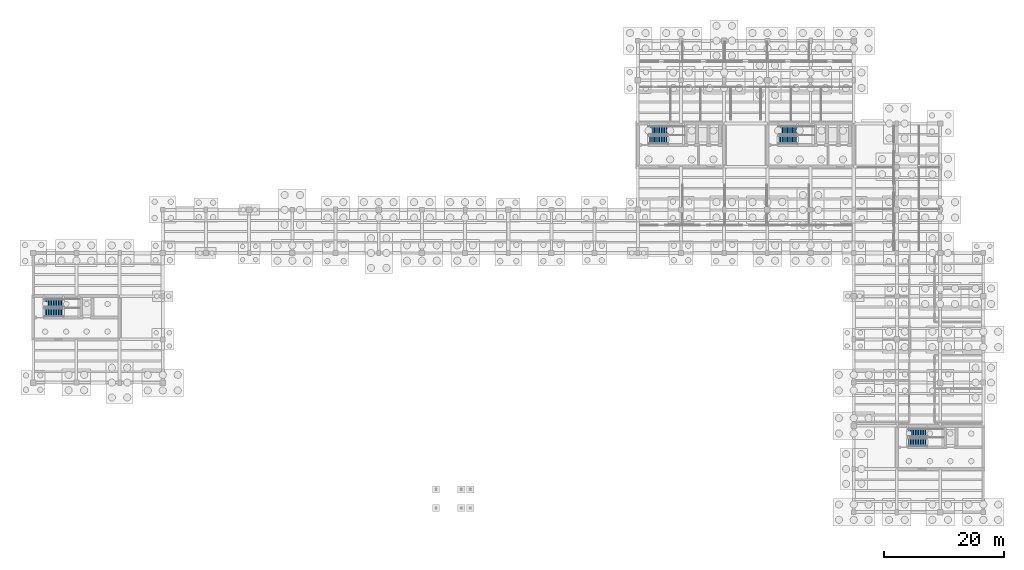
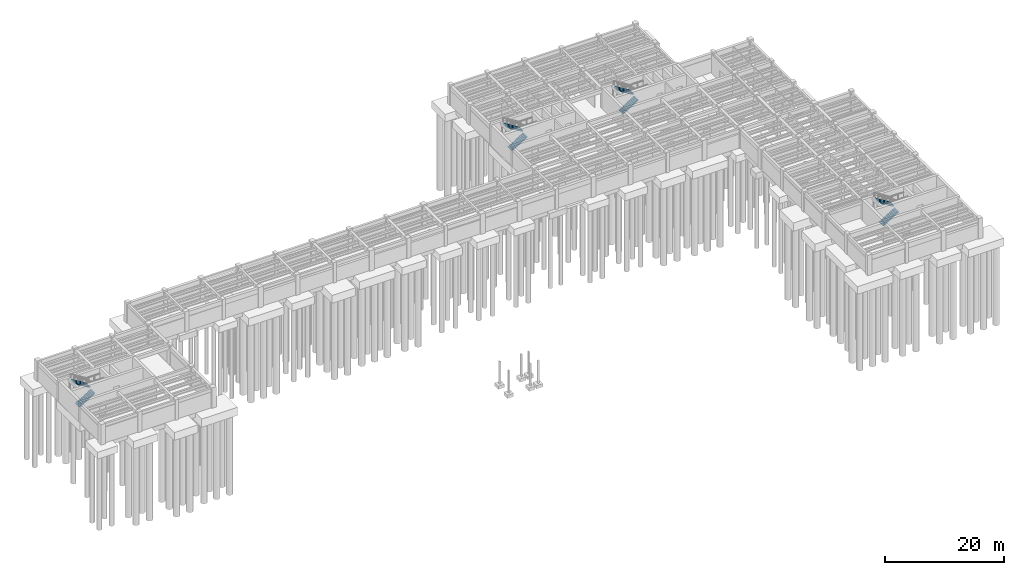
# One storey, part 17 of 22: 8 stair flights, 4 elements without a shape of their own.
"""IFC4 building model written with IfcOpenShell, lengths in metres."""

from ifc_helpers import new_model, si_unit, direction, frame, origin, place, context, subcontext, project, spatial, polyline, outline, extrude, material, type_object, element, aggregate, save


model = new_model("IFC4")

# Units and contexts
model_context = context("Model", 3, precision=1e-05, world=origin(), true_north=direction((0.0, 1.0)))
body_context = subcontext(model_context, "Body", "Model", "MODEL_VIEW")
ifc_project = project(units=[si_unit("LENGTHUNIT", "METRE"), si_unit("AREAUNIT", "SQUARE_METRE"), si_unit("VOLUMEUNIT", "CUBIC_METRE"), si_unit("PLANEANGLEUNIT", "RADIAN"), si_unit("MASSUNIT", "GRAM", prefix="KILO")], contexts=[model_context])

# Site, building, storey
site_placement = place(None, origin())
site = spatial("IfcSite", under=ifc_project, at=site_placement, CompositionType="ELEMENT")
building_placement = place(site_placement, origin())
building = spatial("IfcBuilding", under=site, at=building_placement, Name="Mithqara Police Headquarters", CompositionType="ELEMENT")
storey_placement = place(building_placement, frame((0.0, 0.0, -8.39990234375)))
storey = spatial("IfcBuildingStorey", under=building, at=storey_placement, Name="B2", CompositionType="ELEMENT", Elevation=-8.39990234375)

# Stair, stair flights
ifc_material = material(Name="Concrete C40/50", Category="concrete")
stair_type_1 = type_object("IfcStairType", Name="STAIR ST 01-R24", PredefinedType="HALF_TURN_STAIR", material=ifc_material)
stair_1_placement = place(storey_placement, origin())
stair_1 = element("IfcStair", 1, at=stair_1_placement, inside=storey, type_object=stair_type_1, Name="B2 Core C1 Command West Exit Stair", PredefinedType="HALF_TURN_STAIR")
stair_flight_type_1 = type_object("IfcStairFlightType", Name="STAIR FLIGHT ST 01 F R12", PredefinedType="STRAIGHT", material=ifc_material)
stair_flight_1_placement = place(storey_placement, frame((110.550048828125, 97.47509765625, 0.0), z_axis=(0.0, 0.0, 1.0), x_axis=(1.0, 0.0, 0.0)))
stair_flight_1 = element("IfcStairFlight", 2, at=stair_flight_1_placement, type_object=stair_flight_type_1, Name="ST-01 flight 1", NumberOfRisers=12, NumberOfTreads=11, PredefinedType="STRAIGHT", RiserHeight=0.175, TreadLength=0.28, context=body_context, shape_type="SweptSolid", body=[
    extrude(outline(polyline([(0.0, 0.0), (0.0, 0.175048828125), (0.280029296875, 0.175048828125), (0.280029296875, 0.35009765625), (0.56005859375, 0.35009765625), (0.56005859375, 0.52490234375), (0.840087890625, 0.52490234375), (0.840087890625, 0.699951171875), (1.1201171875, 0.699951171875), (1.1201171875, 0.875), (1.39990234375, 0.875), (1.39990234375, 1.050048828125), (1.679931640625, 1.050048828125), (1.679931640625, 1.22509765625), (1.9599609375, 1.22509765625), (1.9599609375, 1.39990234375), (2.239990234375, 1.39990234375), (2.239990234375, 1.574951171875), (2.52001953125, 1.574951171875), (2.52001953125, 1.75), (2.800048828125, 1.75), (2.800048828125, 1.925048828125), (3.080078125, 1.925048828125), (3.080078125, 2.10009765625), (3.080078125, 1.748291015625), (0.28271484375, 0.0), (0.0, 0.0)])), frame((0.0, 0.675048828125, 0.0), z_axis=(0.0, -1.0, 0.0), x_axis=(1.0, 0.0, 0.0)), (0.0, 0.0, 1.0), 1.35009765625),
])
stair_flight_2_placement = place(storey_placement, frame((113.6298828125, 99.02490234375, 2.099853515625), z_axis=(0.0, 0.0, 1.0), x_axis=(-1.0, 0.0, 0.0)))
stair_flight_2 = element("IfcStairFlight", 3, at=stair_flight_2_placement, type_object=stair_flight_type_1, Name="ST-01 flight 2", NumberOfRisers=12, NumberOfTreads=11, PredefinedType="STRAIGHT", RiserHeight=0.175, TreadLength=0.28, context=body_context, shape_type="SweptSolid", body=[
    extrude(outline(polyline([(0.0, 0.0), (0.0, 0.175048828125), (0.280029296875, 0.175048828125), (0.280029296875, 0.35009765625), (0.56005859375, 0.35009765625), (0.56005859375, 0.52490234375), (0.840087890625, 0.52490234375), (0.840087890625, 0.699951171875), (1.1201171875, 0.699951171875), (1.1201171875, 0.875), (1.39990234375, 0.875), (1.39990234375, 1.050048828125), (1.679931640625, 1.050048828125), (1.679931640625, 1.22509765625), (1.9599609375, 1.22509765625), (1.9599609375, 1.39990234375), (2.239990234375, 1.39990234375), (2.239990234375, 1.574951171875), (2.52001953125, 1.574951171875), (2.52001953125, 1.75), (2.800048828125, 1.75), (2.800048828125, 1.925048828125), (3.080078125, 1.925048828125), (3.080078125, 2.10009765625), (3.080078125, 1.748291015625), (0.28271484375, 0.0), (0.0, 0.0)])), frame((0.0, 0.675048828125, 0.0), z_axis=(0.0, -1.0, 0.0), x_axis=(1.0, 0.0, 0.0)), (0.0, 0.0, 1.0), 1.35009765625),
])
aggregate(stair_1, [stair_flight_1, stair_flight_2])

stair_type_2 = type_object("IfcStairType", Name="STAIR ST 02-R24", PredefinedType="HALF_TURN_STAIR", material=ifc_material)
stair_2_placement = place(storey_placement, origin())
stair_2 = element("IfcStair", 4, at=stair_2_placement, inside=storey, type_object=stair_type_2, Name="B2 Core C2 Command East Exit Stair", PredefinedType="HALF_TURN_STAIR")
stair_flight_type_2 = type_object("IfcStairFlightType", Name="STAIR FLIGHT ST 02 F R12", PredefinedType="STRAIGHT", material=ifc_material)
stair_flight_3_placement = place(storey_placement, frame((132.14990234375, 97.47509765625, 0.0), z_axis=(0.0, 0.0, 1.0), x_axis=(1.0, 0.0, 0.0)))
stair_flight_3 = element("IfcStairFlight", 5, at=stair_flight_3_placement, type_object=stair_flight_type_2, Name="ST-02 flight 1", NumberOfRisers=12, NumberOfTreads=11, PredefinedType="STRAIGHT", RiserHeight=0.175, TreadLength=0.28, context=body_context, shape_type="SweptSolid", body=[
    extrude(outline(polyline([(0.0, 0.0), (0.0, 0.175048828125), (0.280029296875, 0.175048828125), (0.280029296875, 0.35009765625), (0.56005859375, 0.35009765625), (0.56005859375, 0.52490234375), (0.840087890625, 0.52490234375), (0.840087890625, 0.699951171875), (1.1201171875, 0.699951171875), (1.1201171875, 0.875), (1.39990234375, 0.875), (1.39990234375, 1.050048828125), (1.679931640625, 1.050048828125), (1.679931640625, 1.22509765625), (1.9599609375, 1.22509765625), (1.9599609375, 1.39990234375), (2.239990234375, 1.39990234375), (2.239990234375, 1.574951171875), (2.52001953125, 1.574951171875), (2.52001953125, 1.75), (2.800048828125, 1.75), (2.800048828125, 1.925048828125), (3.080078125, 1.925048828125), (3.080078125, 2.10009765625), (3.080078125, 1.748291015625), (0.28271484375, 0.0), (0.0, 0.0)])), frame((0.0, 0.675048828125, 0.0), z_axis=(0.0, -1.0, 0.0), x_axis=(1.0, 0.0, 0.0)), (0.0, 0.0, 1.0), 1.35009765625),
])
stair_flight_4_placement = place(storey_placement, frame((135.22998046875, 99.02490234375, 2.099853515625), z_axis=(0.0, 0.0, 1.0), x_axis=(-1.0, 0.0, 0.0)))
stair_flight_4 = element("IfcStairFlight", 6, at=stair_flight_4_placement, type_object=stair_flight_type_2, Name="ST-02 flight 2", NumberOfRisers=12, NumberOfTreads=11, PredefinedType="STRAIGHT", RiserHeight=0.175, TreadLength=0.28, context=body_context, shape_type="SweptSolid", body=[
    extrude(outline(polyline([(0.0, 0.0), (0.0, 0.175048828125), (0.280029296875, 0.175048828125), (0.280029296875, 0.35009765625), (0.56005859375, 0.35009765625), (0.56005859375, 0.52490234375), (0.840087890625, 0.52490234375), (0.840087890625, 0.699951171875), (1.1201171875, 0.699951171875), (1.1201171875, 0.875), (1.39990234375, 0.875), (1.39990234375, 1.050048828125), (1.679931640625, 1.050048828125), (1.679931640625, 1.22509765625), (1.9599609375, 1.22509765625), (1.9599609375, 1.39990234375), (2.239990234375, 1.39990234375), (2.239990234375, 1.574951171875), (2.52001953125, 1.574951171875), (2.52001953125, 1.75), (2.800048828125, 1.75), (2.800048828125, 1.925048828125), (3.080078125, 1.925048828125), (3.080078125, 2.10009765625), (3.080078125, 1.748291015625), (0.28271484375, 0.0), (0.0, 0.0)])), frame((0.0, 0.675048828125, 0.0), z_axis=(0.0, -1.0, 0.0), x_axis=(1.0, 0.0, 0.0)), (0.0, 0.0, 1.0), 1.35009765625),
])
aggregate(stair_2, [stair_flight_3, stair_flight_4])

stair_type_3 = type_object("IfcStairType", Name="STAIR ST 03-R24", PredefinedType="HALF_TURN_STAIR", material=ifc_material)
stair_3_placement = place(storey_placement, origin())
stair_3 = element("IfcStair", 7, at=stair_3_placement, inside=storey, type_object=stair_type_3, Name="B2 Core C3 Operations West Exit Stair", PredefinedType="HALF_TURN_STAIR")
stair_flight_type_3 = type_object("IfcStairFlightType", Name="STAIR FLIGHT ST 03 F R12", PredefinedType="STRAIGHT", material=ifc_material)
stair_flight_5_placement = place(storey_placement, frame((9.75, 68.675048828125, 0.0), z_axis=(0.0, 0.0, 1.0), x_axis=(1.0, 0.0, 0.0)))
stair_flight_5 = element("IfcStairFlight", 8, at=stair_flight_5_placement, type_object=stair_flight_type_3, Name="ST-03 flight 1", NumberOfRisers=12, NumberOfTreads=11, PredefinedType="STRAIGHT", RiserHeight=0.175, TreadLength=0.28, context=body_context, shape_type="SweptSolid", body=[
    extrude(outline(polyline([(0.0, 0.0), (0.0, 0.175048828125), (0.280029296875, 0.175048828125), (0.280029296875, 0.35009765625), (0.56005859375, 0.35009765625), (0.56005859375, 0.52490234375), (0.840087890625, 0.52490234375), (0.840087890625, 0.699951171875), (1.1201171875, 0.699951171875), (1.1201171875, 0.875), (1.39990234375, 0.875), (1.39990234375, 1.050048828125), (1.679931640625, 1.050048828125), (1.679931640625, 1.22509765625), (1.9599609375, 1.22509765625), (1.9599609375, 1.39990234375), (2.239990234375, 1.39990234375), (2.239990234375, 1.574951171875), (2.52001953125, 1.574951171875), (2.52001953125, 1.75), (2.800048828125, 1.75), (2.800048828125, 1.925048828125), (3.080078125, 1.925048828125), (3.080078125, 2.10009765625), (3.080078125, 1.748291015625), (0.28271484375, 0.0), (0.0, 0.0)])), frame((0.0, 0.675048828125, 0.0), z_axis=(0.0, -1.0, 0.0), x_axis=(1.0, 0.0, 0.0)), (0.0, 0.0, 1.0), 1.35009765625),
])
stair_flight_6_placement = place(storey_placement, frame((12.830078125, 70.22509765625, 2.099853515625), z_axis=(0.0, 0.0, 1.0), x_axis=(-1.0, 0.0, 0.0)))
stair_flight_6 = element("IfcStairFlight", 9, at=stair_flight_6_placement, type_object=stair_flight_type_3, Name="ST-03 flight 2", NumberOfRisers=12, NumberOfTreads=11, PredefinedType="STRAIGHT", RiserHeight=0.175, TreadLength=0.28, context=body_context, shape_type="SweptSolid", body=[
    extrude(outline(polyline([(0.0, 0.0), (0.0, 0.175048828125), (0.280029296875, 0.175048828125), (0.280029296875, 0.35009765625), (0.56005859375, 0.35009765625), (0.56005859375, 0.52490234375), (0.840087890625, 0.52490234375), (0.840087890625, 0.699951171875), (1.1201171875, 0.699951171875), (1.1201171875, 0.875), (1.39990234375, 0.875), (1.39990234375, 1.050048828125), (1.679931640625, 1.050048828125), (1.679931640625, 1.22509765625), (1.9599609375, 1.22509765625), (1.9599609375, 1.39990234375), (2.239990234375, 1.39990234375), (2.239990234375, 1.574951171875), (2.52001953125, 1.574951171875), (2.52001953125, 1.75), (2.800048828125, 1.75), (2.800048828125, 1.925048828125), (3.080078125, 1.925048828125), (3.080078125, 2.10009765625), (3.080078125, 1.748291015625), (0.28271484375, 0.0), (0.0, 0.0)])), frame((0.0, 0.675048828125, 0.0), z_axis=(0.0, -1.0, 0.0), x_axis=(1.0, 0.0, 0.0)), (0.0, 0.0, 1.0), 1.35009765625),
])
aggregate(stair_3, [stair_flight_5, stair_flight_6])

stair_type_4 = type_object("IfcStairType", Name="STAIR ST 04-R24", PredefinedType="HALF_TURN_STAIR", material=ifc_material)
stair_4_placement = place(storey_placement, origin())
stair_4 = element("IfcStair", 10, at=stair_4_placement, inside=storey, type_object=stair_type_4, Name="B2 Core C4 Forensics East Exit Stair", PredefinedType="HALF_TURN_STAIR")
stair_flight_type_4 = type_object("IfcStairFlightType", Name="STAIR FLIGHT ST 04 F R12", PredefinedType="STRAIGHT", material=ifc_material)
stair_flight_7_placement = place(storey_placement, frame((153.75, 47.074951171875, 0.0), z_axis=(0.0, 0.0, 1.0), x_axis=(1.0, 0.0, 0.0)))
stair_flight_7 = element("IfcStairFlight", 11, at=stair_flight_7_placement, type_object=stair_flight_type_4, Name="ST-04 flight 1", NumberOfRisers=12, NumberOfTreads=11, PredefinedType="STRAIGHT", RiserHeight=0.175, TreadLength=0.28, context=body_context, shape_type="SweptSolid", body=[
    extrude(outline(polyline([(0.0, 0.0), (0.0, 0.175048828125), (0.280029296875, 0.175048828125), (0.280029296875, 0.35009765625), (0.56005859375, 0.35009765625), (0.56005859375, 0.52490234375), (0.840087890625, 0.52490234375), (0.840087890625, 0.699951171875), (1.1201171875, 0.699951171875), (1.1201171875, 0.875), (1.39990234375, 0.875), (1.39990234375, 1.050048828125), (1.679931640625, 1.050048828125), (1.679931640625, 1.22509765625), (1.9599609375, 1.22509765625), (1.9599609375, 1.39990234375), (2.239990234375, 1.39990234375), (2.239990234375, 1.574951171875), (2.52001953125, 1.574951171875), (2.52001953125, 1.75), (2.800048828125, 1.75), (2.800048828125, 1.925048828125), (3.080078125, 1.925048828125), (3.080078125, 2.10009765625), (3.080078125, 1.748291015625), (0.28271484375, 0.0), (0.0, 0.0)])), frame((0.0, 0.675048828125, 0.0), z_axis=(0.0, -1.0, 0.0), x_axis=(1.0, 0.0, 0.0)), (0.0, 0.0, 1.0), 1.35009765625),
])
stair_flight_8_placement = place(storey_placement, frame((156.830078125, 48.625, 2.099853515625), z_axis=(0.0, 0.0, 1.0), x_axis=(-1.0, 0.0, 0.0)))
stair_flight_8 = element("IfcStairFlight", 12, at=stair_flight_8_placement, type_object=stair_flight_type_4, Name="ST-04 flight 2", NumberOfRisers=12, NumberOfTreads=11, PredefinedType="STRAIGHT", RiserHeight=0.175, TreadLength=0.28, context=body_context, shape_type="SweptSolid", body=[
    extrude(outline(polyline([(0.0, 0.0), (0.0, 0.175048828125), (0.280029296875, 0.175048828125), (0.280029296875, 0.35009765625), (0.56005859375, 0.35009765625), (0.56005859375, 0.52490234375), (0.840087890625, 0.52490234375), (0.840087890625, 0.699951171875), (1.1201171875, 0.699951171875), (1.1201171875, 0.875), (1.39990234375, 0.875), (1.39990234375, 1.050048828125), (1.679931640625, 1.050048828125), (1.679931640625, 1.22509765625), (1.9599609375, 1.22509765625), (1.9599609375, 1.39990234375), (2.239990234375, 1.39990234375), (2.239990234375, 1.574951171875), (2.52001953125, 1.574951171875), (2.52001953125, 1.75), (2.800048828125, 1.75), (2.800048828125, 1.925048828125), (3.080078125, 1.925048828125), (3.080078125, 2.10009765625), (3.080078125, 1.748291015625), (0.28271484375, 0.0), (0.0, 0.0)])), frame((0.0, 0.675048828125, 0.0), z_axis=(0.0, -1.0, 0.0), x_axis=(1.0, 0.0, 0.0)), (0.0, 0.0, 1.0), 1.35009765625),
])
aggregate(stair_4, [stair_flight_7, stair_flight_8])

save(model, "model.ifc")
